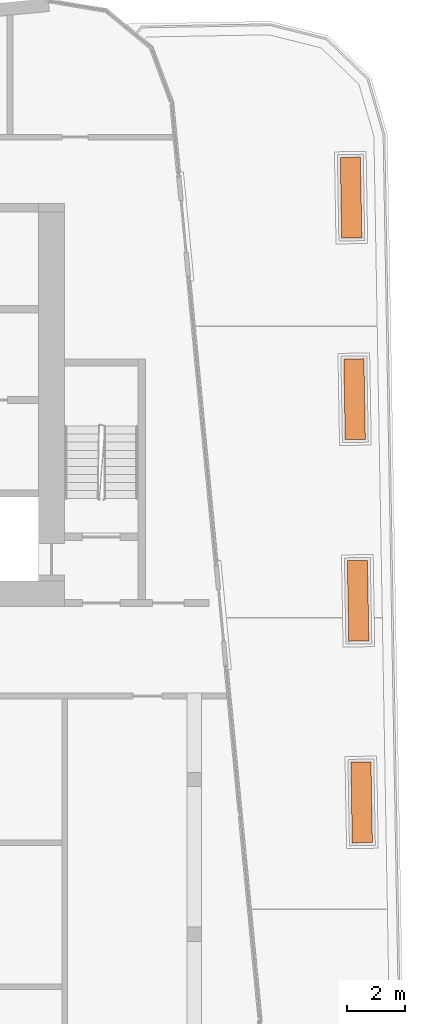
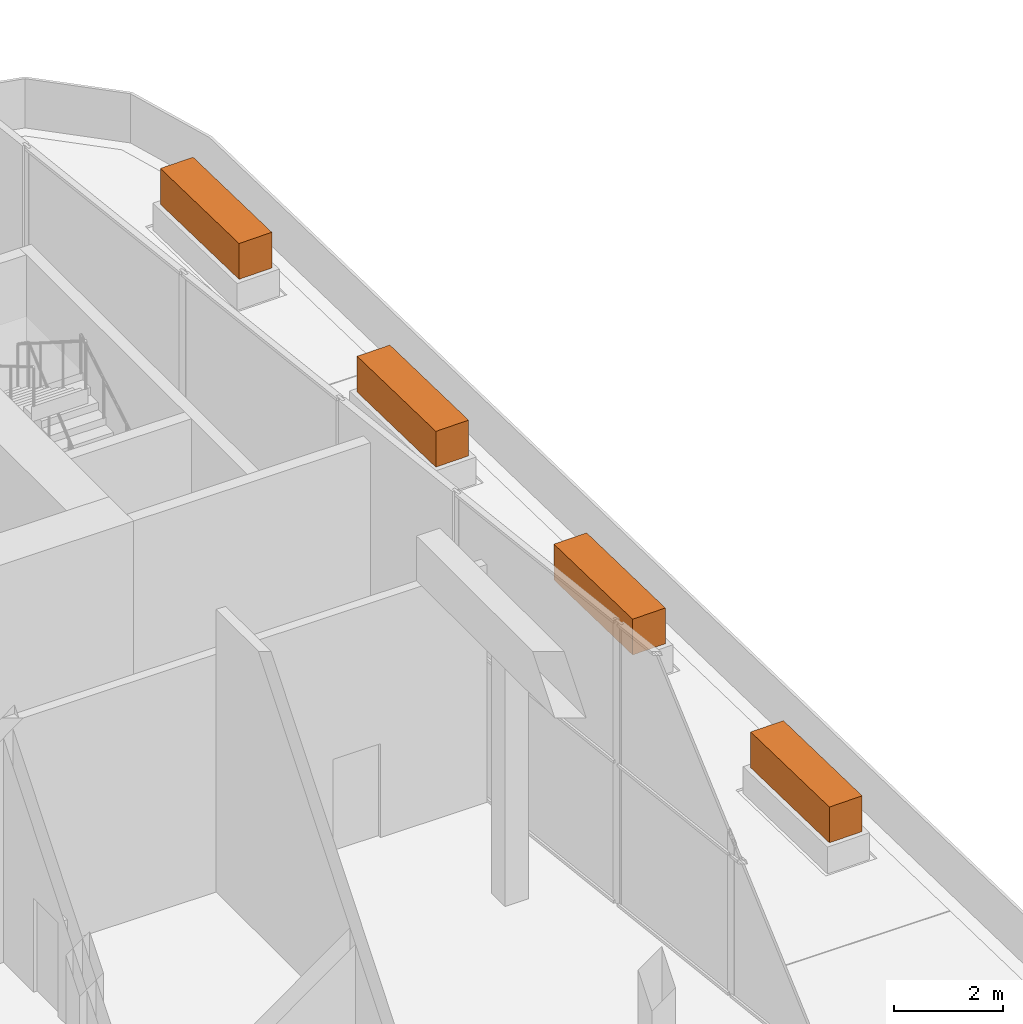
# One storey, part 24 of 24: 4 geographic elements.
"""IFC4 building model written with IfcOpenShell, lengths in metres."""

from ifc_helpers import new_model, si_unit, direction, frame, origin, origin_2d, place, context, subcontext, project, spatial, rectangle, extrude, element, save


model = new_model("IFC4")

# Units and contexts
model_context = context("Model", 3, precision=1e-05, world=origin(), true_north=direction((0.0, 1.0)))
body_context = subcontext(model_context, "Body", "Model", "MODEL_VIEW")
ifc_project = project(units=[si_unit("LENGTHUNIT", "METRE"), si_unit("AREAUNIT", "SQUARE_METRE"), si_unit("VOLUMEUNIT", "CUBIC_METRE"), si_unit("PLANEANGLEUNIT", "RADIAN"), si_unit("MASSUNIT", "GRAM", prefix="KILO")], contexts=[model_context])

# Site, building, storey
site_placement = place(None, origin())
site = spatial("IfcSite", under=ifc_project, at=site_placement, CompositionType="ELEMENT")
building_placement = place(site_placement, origin())
building = spatial("IfcBuilding", under=site, at=building_placement, Name="Kajstack Hotel Tower", CompositionType="ELEMENT")
storey_placement = place(building_placement, frame((0.0, 0.0, 261.89990234375)))
storey = spatial("IfcBuildingStorey", under=building, at=storey_placement, Name="L65", CompositionType="ELEMENT", Elevation=261.89990234375)

# Geographic elements
for number, where, z_axis, x_axis, name in (
    (1, (41.444091796875, 15.7021484375, 0.60009765625), (0.0, 0.0, 1.0), (0.017454535415, -0.999847657993, 0.0), "Planting L65-02-01"),
    (2, (41.566162109375, 8.703125, 0.60009765625), (0.0, 0.0, 1.0), (0.017454535415, -0.999847657993, 0.0), "Planting L65-02-02"),
    (3, (41.6884765625, 1.7041015625, 0.60009765625), (0.0, 0.0, 1.0), (0.017454535415, -0.999847657993, 0.0), "Planting L65-02-03"),
    (4, (41.810546875, -5.294677734375, 0.60009765625), (0.0, 0.0, 1.0), (0.017454535415, -0.999847657993, 0.0), "Planting L65-02-04"),
):
    element("IfcGeographicElement", number, at=place(storey_placement, frame(where, z_axis=z_axis, x_axis=x_axis)), inside=storey, Name=name, ObjectType="PLANTING", PredefinedType="USERDEFINED", context=body_context, shape_type="SweptSolid", body=[
        extrude(rectangle(XDim=2.800048828125, YDim=0.699951171875, at=origin_2d()), origin(), (0.0, 0.0, 1.0), 0.800048828125),
    ])

save(model, "model.ifc")
